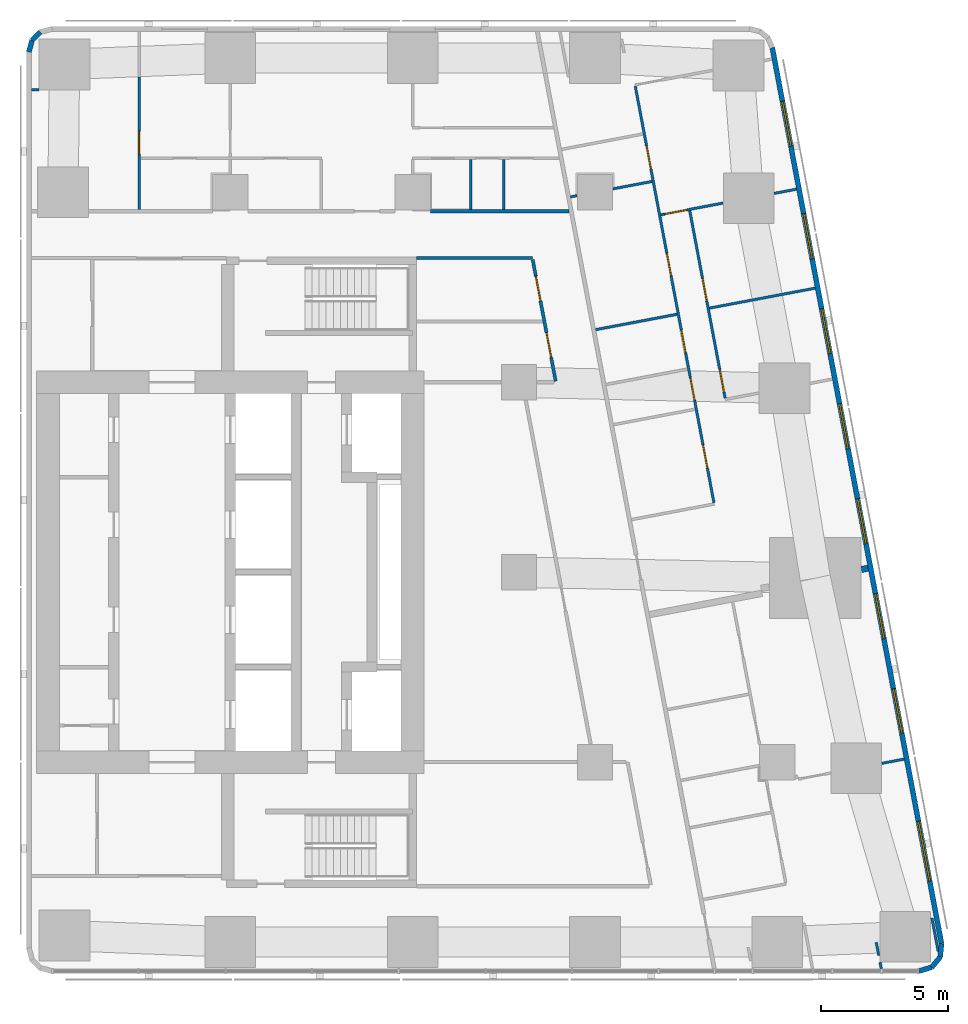
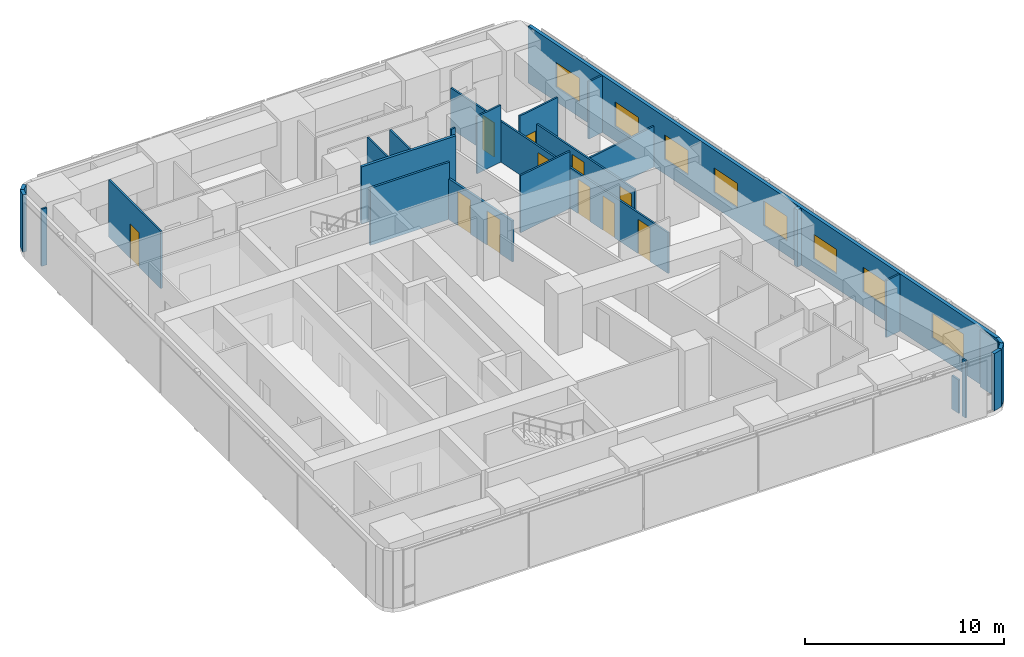
# One storey, part 7 of 10: 26 walls, 11 doors, 8 windows, 19 openings.
"""IFC4 building model written with IfcOpenShell, lengths in metres."""

from ifc_helpers import new_model, si_unit, direction, frame, frame_2d, origin, place, context, subcontext, project, spatial, rectangle, extrude, material, layer, layer_set, type_object, element, fill, save


model = new_model("IFC4")

# Units and contexts
model_context = context("Model", 3, precision=1e-05, world=origin(), true_north=direction((0.0, 1.0)))
body_context = subcontext(model_context, "Body", "Model", "MODEL_VIEW")
ifc_project = project(units=[si_unit("LENGTHUNIT", "METRE"), si_unit("AREAUNIT", "SQUARE_METRE"), si_unit("VOLUMEUNIT", "CUBIC_METRE"), si_unit("PLANEANGLEUNIT", "RADIAN"), si_unit("MASSUNIT", "GRAM", prefix="KILO")], contexts=[model_context])

# Site, building, storey
site_placement = place(None, origin())
site = spatial("IfcSite", under=ifc_project, at=site_placement, CompositionType="ELEMENT")
building_placement = place(site_placement, origin())
building = spatial("IfcBuilding", under=site, at=building_placement, Name="Sheger Commons Tower", CompositionType="ELEMENT")
storey_placement = place(building_placement, frame((0.0, 0.0, 289.10009765625)))
storey = spatial("IfcBuildingStorey", under=building, at=storey_placement, Name="L74", CompositionType="ELEMENT", Elevation=289.10009765625)

# Walls
ifc_material_1 = material(Name="Hollow concrete block masonry, skimmed both sides", Category="masonry")
ifc_layer_1 = layer(ifc_material_1, 0.14990234375)
ifc_layer_set_1 = layer_set([ifc_layer_1], Name="CORRIDOR WALL 150")
wall_type_1 = type_object("IfcWallType", Name="CORRIDOR WALL 150", PredefinedType="SOLIDWALL", material=ifc_layer_set_1)
wall_1_placement = place(storey_placement, frame((29.5009765625, 36.75, 0.0), z_axis=(0.0, 0.0, 1.0), x_axis=(1.0, 0.0, 0.0)))
element("IfcWall", 1, at=wall_1_placement, inside=storey, type_object=wall_type_1, Name="Corridor wall L74", PredefinedType="SOLIDWALL", context=body_context, shape_type="SweptSolid", body=[
    extrude(rectangle(XDim=5.470947265625, YDim=0.14990234375, at=frame_2d((2.7353515625, 0.0))), origin(), (0.0, 0.0, 1.0), 3.5),
])
ifc_material_2 = material(Name="Dense concrete block masonry, plastered both sides (separating wall between flats)", Category="masonry")
ifc_layer_2 = layer(ifc_material_2, 0.25)
ifc_layer_set_2 = layer_set([ifc_layer_2], Name="DEMISING WALL 250")
wall_type_2 = type_object("IfcWallType", Name="DEMISING WALL 250", PredefinedType="SOLIDWALL", material=ifc_layer_set_2)
wall_2_placement = place(storey_placement, frame((46.781982421875, 22.656982421875, 0.0), z_axis=(0.0, 0.0, 1.0), x_axis=(-0.982104607121, -0.188336243648, 0.0)))
element("IfcWall", 2, at=wall_2_placement, inside=storey, type_object=wall_type_2, Name="Demising wall L74", PredefinedType="SOLIDWALL", context=body_context, shape_type="SweptSolid", body=[
    extrude(rectangle(XDim=0.265625, YDim=0.25, at=frame_2d((0.1328125, 0.0))), origin(), (0.0, 0.0, 1.0), 3.5),
])
ifc_material_3 = material(Name="Rendered concrete block masonry, dark grey", Category="masonry")
ifc_layer_3 = layer(ifc_material_3, 0.199951171875)
ifc_layer_set_3 = layer_set([ifc_layer_3], Name="FACADE WALL 200")
wall_type_3 = type_object("IfcWallType", Name="FACADE WALL 200", PredefinedType="SOLIDWALL", material=ifc_layer_set_3)
wall_3_placement = place(storey_placement, frame((48.787109375, 6.75, 0.0), z_axis=(0.0, 0.0, 1.0), x_axis=(0.957282247819, 0.289155145225, 0.0)))
element("IfcWall", 3, at=wall_3_placement, inside=storey, type_object=wall_type_3, Name="Facade wall L74", PredefinedType="SOLIDWALL", context=body_context, shape_type="SweptSolid", body=[
    extrude(rectangle(XDim=0.53271484375, YDim=0.199951171875, at=frame_2d((0.266357421875, 0.0))), origin(), (0.0, 0.0, 1.0), 3.5),
])
wall_4_placement = place(storey_placement, frame((49.297119140625, 6.904052734375, 0.0), z_axis=(0.0, 0.0, 1.0), x_axis=(0.639255849474, 0.768994121508, 0.0)))
element("IfcWall", 4, at=wall_4_placement, inside=storey, type_object=wall_type_3, Name="Facade wall L74", PredefinedType="SOLIDWALL", context=body_context, shape_type="SweptSolid", body=[
    extrude(rectangle(XDim=0.517578125, YDim=0.199951171875, at=frame_2d((0.2587890625, 0.0))), origin(), (0.0, 0.0, 1.0), 3.5),
])
wall_5_placement = place(storey_placement, frame((49.6279296875, 7.302001953125, 0.0), z_axis=(0.0, 0.0, 1.0), x_axis=(0.105352390132, 0.994434952068, 0.0)))
element("IfcWall", 5, at=wall_5_placement, inside=storey, type_object=wall_type_3, Name="Facade wall L74", PredefinedType="SOLIDWALL", context=body_context, shape_type="SweptSolid", body=[
    extrude(rectangle(XDim=0.532958984375, YDim=0.199951171875, at=frame_2d((0.2666015625, 0.0))), origin(), (0.0, 0.0, 1.0), 3.5),
])

# Wall, openings, windows
wall_6_placement = place(storey_placement, frame((49.68408203125, 7.83203125, 0.0), z_axis=(0.0, 0.0, 1.0), x_axis=(-0.185616669694, 0.982622232565, 0.0)))
wall_6 = element("IfcWall", 6, at=wall_6_placement, inside=storey, type_object=wall_type_3, Name="Facade wall L74", PredefinedType="SOLIDWALL", context=body_context, shape_type="SweptSolid", body=[
    extrude(rectangle(XDim=35.99951171875, YDim=0.199951171875, at=frame_2d((17.999755859375, 0.0))), origin(), (0.0, 0.0, 1.0), 3.5),
])
opening_1_placement = place(wall_6_placement, frame((2.51806640625, 0.0, 0.89990234375)))
opening_1 = element("IfcOpeningElement", 7, at=opening_1_placement, cuts=wall_6, Name="Opening W1", PredefinedType="OPENING", context=body_context, shape_type="SweptSolid", body=[
    extrude(rectangle(XDim=2.39990234375, YDim=1.5, at=frame_2d((1.199951171875, 0.75))), frame((0.0, 0.10986328125, 0.0), z_axis=(0.0, -1.0, 0.0), x_axis=(1.0, 0.0, 0.0)), (0.0, 0.0, 1.0), 0.219970703125),
])
opening_2_placement = place(wall_6_placement, frame((8.444091796875, 0.0, 0.89990234375)))
opening_2 = element("IfcOpeningElement", 8, at=opening_2_placement, cuts=wall_6, Name="Opening W2", PredefinedType="OPENING", context=body_context, shape_type="SweptSolid", body=[
    extrude(rectangle(XDim=1.800048828125, YDim=1.5, at=frame_2d((0.89990234375, 0.75))), frame((0.0, 0.10986328125, 0.0), z_axis=(0.0, -1.0, 0.0), x_axis=(1.0, 0.0, 0.0)), (0.0, 0.0, 1.0), 0.219970703125),
])
opening_3_placement = place(wall_6_placement, frame((12.260986328125, 0.0, 0.89990234375)))
opening_3 = element("IfcOpeningElement", 9, at=opening_3_placement, cuts=wall_6, Name="Opening W2", PredefinedType="OPENING", context=body_context, shape_type="SweptSolid", body=[
    extrude(rectangle(XDim=1.800048828125, YDim=1.5, at=frame_2d((0.89990234375, 0.75))), frame((0.0, 0.10986328125, 0.0), z_axis=(0.0, -1.0, 0.0), x_axis=(1.0, 0.0, 0.0)), (0.0, 0.0, 1.0), 0.219970703125),
])
opening_4_placement = place(wall_6_placement, frame((16.077880859375, 0.0, 0.89990234375)))
opening_4 = element("IfcOpeningElement", 10, at=opening_4_placement, cuts=wall_6, Name="Opening W2", PredefinedType="OPENING", context=body_context, shape_type="SweptSolid", body=[
    extrude(rectangle(XDim=1.800048828125, YDim=1.5, at=frame_2d((0.89990234375, 0.75))), frame((0.0, 0.10986328125, 0.0), z_axis=(0.0, -1.0, 0.0), x_axis=(1.0, 0.0, 0.0)), (0.0, 0.0, 1.0), 0.219970703125),
])
opening_5_placement = place(wall_6_placement, frame((19.89404296875, 0.0, 0.89990234375)))
opening_5 = element("IfcOpeningElement", 11, at=opening_5_placement, cuts=wall_6, Name="Opening W2", PredefinedType="OPENING", context=body_context, shape_type="SweptSolid", body=[
    extrude(rectangle(XDim=1.800048828125, YDim=1.5, at=frame_2d((0.89990234375, 0.75))), frame((0.0, 0.10986328125, 0.0), z_axis=(0.0, -1.0, 0.0), x_axis=(1.0, 0.0, 0.0)), (0.0, 0.0, 1.0), 0.219970703125),
])
opening_6_placement = place(wall_6_placement, frame((23.7099609375, 0.0, 0.89990234375)))
opening_6 = element("IfcOpeningElement", 12, at=opening_6_placement, cuts=wall_6, Name="Opening W2", PredefinedType="OPENING", context=body_context, shape_type="SweptSolid", body=[
    extrude(rectangle(XDim=1.800048828125, YDim=1.5, at=frame_2d((0.89990234375, 0.75))), frame((0.0, 0.10986328125, 0.0), z_axis=(0.0, -1.0, 0.0), x_axis=(1.0, 0.0, 0.0)), (0.0, 0.0, 1.0), 0.219970703125),
])
opening_7_placement = place(wall_6_placement, frame((27.52587890625, 0.0, 0.89990234375)))
opening_7 = element("IfcOpeningElement", 13, at=opening_7_placement, cuts=wall_6, Name="Opening W2", PredefinedType="OPENING", context=body_context, shape_type="SweptSolid", body=[
    extrude(rectangle(XDim=1.800048828125, YDim=1.5, at=frame_2d((0.89990234375, 0.75))), frame((0.0, 0.10986328125, 0.0), z_axis=(0.0, -1.0, 0.0), x_axis=(1.0, 0.0, 0.0)), (0.0, 0.0, 1.0), 0.219970703125),
])
opening_8_placement = place(wall_6_placement, frame((32.0458984375, 0.0, 0.89990234375)))
opening_8 = element("IfcOpeningElement", 14, at=opening_8_placement, cuts=wall_6, Name="Opening W2", PredefinedType="OPENING", context=body_context, shape_type="SweptSolid", body=[
    extrude(rectangle(XDim=1.800048828125, YDim=1.5, at=frame_2d((0.89990234375, 0.75))), frame((0.0, 0.10986328125, 0.0), z_axis=(0.0, -1.0, 0.0), x_axis=(1.0, 0.0, 0.0)), (0.0, 0.0, 1.0), 0.219970703125),
])
ifc_material_4 = material(Name="Black aluminium frame, dark tinted double glazing", Category="aluminium")
window_type_1 = type_object("IfcWindowType", Name="WINDOW W1 2400x1500", PartitioningType="SINGLE_PANEL", PredefinedType="WINDOW", material=ifc_material_4)
window_1_placement = place(opening_1_placement, origin())
window_1 = element("IfcWindow", 15, at=window_1_placement, inside=storey, type_object=window_type_1, Name="Window W1 2400X1500", OverallHeight=1.5, OverallWidth=2.39990234375, PartitioningType="SINGLE_PANEL", PredefinedType="WINDOW", context=body_context, shape_type="SweptSolid", body=[
    extrude(rectangle(XDim=2.39990234375, YDim=1.5, at=frame_2d((1.199951171875, 0.75))), frame((0.0, 0.030029296875, 0.0), z_axis=(0.0, -1.0, 0.0), x_axis=(1.0, 0.0, 0.0)), (0.0, 0.0, 1.0), 0.06005859375),
])
fill(opening_1, window_1)
ifc_material_5 = material(Name="Black aluminium frame, dark tinted double glazing", Category="aluminium")
window_type_2 = type_object("IfcWindowType", Name="WINDOW W2 1800x1500", PartitioningType="SINGLE_PANEL", PredefinedType="WINDOW", material=ifc_material_5)
window_2_placement = place(opening_2_placement, origin())
window_2 = element("IfcWindow", 16, at=window_2_placement, inside=storey, type_object=window_type_2, Name="Window W2 1800X1500", OverallHeight=1.5, OverallWidth=1.800048828125, PartitioningType="SINGLE_PANEL", PredefinedType="WINDOW", context=body_context, shape_type="SweptSolid", body=[
    extrude(rectangle(XDim=1.800048828125, YDim=1.5, at=frame_2d((0.89990234375, 0.75))), frame((0.0, 0.030029296875, 0.0), z_axis=(0.0, -1.0, 0.0), x_axis=(1.0, 0.0, 0.0)), (0.0, 0.0, 1.0), 0.06005859375),
])
fill(opening_2, window_2)
window_3_placement = place(opening_3_placement, origin())
window_3 = element("IfcWindow", 17, at=window_3_placement, inside=storey, type_object=window_type_2, Name="Window W2 1800X1500", OverallHeight=1.5, OverallWidth=1.800048828125, PartitioningType="SINGLE_PANEL", PredefinedType="WINDOW", context=body_context, shape_type="SweptSolid", body=[
    extrude(rectangle(XDim=1.800048828125, YDim=1.5, at=frame_2d((0.89990234375, 0.75))), frame((0.0, 0.030029296875, 0.0), z_axis=(0.0, -1.0, 0.0), x_axis=(1.0, 0.0, 0.0)), (0.0, 0.0, 1.0), 0.06005859375),
])
fill(opening_3, window_3)
window_4_placement = place(opening_4_placement, origin())
window_4 = element("IfcWindow", 18, at=window_4_placement, inside=storey, type_object=window_type_2, Name="Window W2 1800X1500", OverallHeight=1.5, OverallWidth=1.800048828125, PartitioningType="SINGLE_PANEL", PredefinedType="WINDOW", context=body_context, shape_type="SweptSolid", body=[
    extrude(rectangle(XDim=1.800048828125, YDim=1.5, at=frame_2d((0.89990234375, 0.75))), frame((0.0, 0.030029296875, 0.0), z_axis=(0.0, -1.0, 0.0), x_axis=(1.0, 0.0, 0.0)), (0.0, 0.0, 1.0), 0.06005859375),
])
fill(opening_4, window_4)
window_5_placement = place(opening_5_placement, origin())
window_5 = element("IfcWindow", 19, at=window_5_placement, inside=storey, type_object=window_type_2, Name="Window W2 1800X1500", OverallHeight=1.5, OverallWidth=1.800048828125, PartitioningType="SINGLE_PANEL", PredefinedType="WINDOW", context=body_context, shape_type="SweptSolid", body=[
    extrude(rectangle(XDim=1.800048828125, YDim=1.5, at=frame_2d((0.89990234375, 0.75))), frame((0.0, 0.030029296875, 0.0), z_axis=(0.0, -1.0, 0.0), x_axis=(1.0, 0.0, 0.0)), (0.0, 0.0, 1.0), 0.06005859375),
])
fill(opening_5, window_5)
window_6_placement = place(opening_6_placement, origin())
window_6 = element("IfcWindow", 20, at=window_6_placement, inside=storey, type_object=window_type_2, Name="Window W2 1800X1500", OverallHeight=1.5, OverallWidth=1.800048828125, PartitioningType="SINGLE_PANEL", PredefinedType="WINDOW", context=body_context, shape_type="SweptSolid", body=[
    extrude(rectangle(XDim=1.800048828125, YDim=1.5, at=frame_2d((0.89990234375, 0.75))), frame((0.0, 0.030029296875, 0.0), z_axis=(0.0, -1.0, 0.0), x_axis=(1.0, 0.0, 0.0)), (0.0, 0.0, 1.0), 0.06005859375),
])
fill(opening_6, window_6)
window_7_placement = place(opening_7_placement, origin())
window_7 = element("IfcWindow", 21, at=window_7_placement, inside=storey, type_object=window_type_2, Name="Window W2 1800X1500", OverallHeight=1.5, OverallWidth=1.800048828125, PartitioningType="SINGLE_PANEL", PredefinedType="WINDOW", context=body_context, shape_type="SweptSolid", body=[
    extrude(rectangle(XDim=1.800048828125, YDim=1.5, at=frame_2d((0.89990234375, 0.75))), frame((0.0, 0.030029296875, 0.0), z_axis=(0.0, -1.0, 0.0), x_axis=(1.0, 0.0, 0.0)), (0.0, 0.0, 1.0), 0.06005859375),
])
fill(opening_7, window_7)
window_8_placement = place(opening_8_placement, origin())
window_8 = element("IfcWindow", 22, at=window_8_placement, inside=storey, type_object=window_type_2, Name="Window W2 1800X1500", OverallHeight=1.5, OverallWidth=1.800048828125, PartitioningType="SINGLE_PANEL", PredefinedType="WINDOW", context=body_context, shape_type="SweptSolid", body=[
    extrude(rectangle(XDim=1.800048828125, YDim=1.5, at=frame_2d((0.89990234375, 0.75))), frame((0.0, 0.030029296875, 0.0), z_axis=(0.0, -1.0, 0.0), x_axis=(1.0, 0.0, 0.0)), (0.0, 0.0, 1.0), 0.06005859375),
])
fill(opening_8, window_8)

# Walls
wall_7_placement = place(storey_placement, frame((14.10205078125, 43.825927734375, 0.0), z_axis=(0.0, 0.0, 1.0), x_axis=(-0.707369890659, -0.706843573776, 0.0)))
element("IfcWall", 23, at=wall_7_placement, inside=storey, type_object=wall_type_3, Name="Facade wall L74", PredefinedType="SOLIDWALL", context=body_context, shape_type="SweptSolid", body=[
    extrude(rectangle(XDim=0.4638671875, YDim=0.199951171875, at=frame_2d((0.23193359375, 0.0))), origin(), (0.0, 0.0, 1.0), 3.5),
])
wall_8_placement = place(storey_placement, frame((13.77392578125, 43.498046875, 0.0), z_axis=(0.0, 0.0, 1.0), x_axis=(-0.259826731483, -0.965655254015, 0.0)))
element("IfcWall", 24, at=wall_8_placement, inside=storey, type_object=wall_type_3, Name="Facade wall L74", PredefinedType="SOLIDWALL", context=body_context, shape_type="SweptSolid", body=[
    extrude(rectangle(XDim=0.477294921875, YDim=0.199951171875, at=frame_2d((0.23876953125, 0.0))), origin(), (0.0, 0.0, 1.0), 3.5),
])
ifc_material_6 = material(Name="Gypsum board on steel studs", Category="steel")
ifc_layer_4 = layer(ifc_material_6, 0.10009765625)
ifc_layer_set_4 = layer_set([ifc_layer_4], Name="PARTITION 100")
wall_type_4 = type_object("IfcWallType", Name="PARTITION 100", PredefinedType="PARTITIONING", material=ifc_layer_set_4)
wall_9_placement = place(storey_placement, frame((49.300048828125, 8.85107421875, 0.0), z_axis=(0.0, 0.0, 1.0), x_axis=(0.18581620423, -0.982584519645, 0.0)))
element("IfcWall", 25, at=wall_9_placement, inside=storey, type_object=wall_type_4, Name="Partition L74", PredefinedType="PARTITIONING", context=body_context, shape_type="SweptSolid", body=[
    extrude(rectangle(XDim=1.3505859375, YDim=0.10009765625, at=frame_2d((0.67529296875, 0.0))), origin(), (0.0, 0.0, 1.0), 3.5),
])
wall_10_placement = place(storey_placement, frame((47.301025390625, 6.85009765625, 0.0), z_axis=(0.0, 0.0, 1.0), x_axis=(-0.187513903188, 0.982261948826, 0.0)))
element("IfcWall", 26, at=wall_10_placement, inside=storey, type_object=wall_type_4, Name="Partition L74", PredefinedType="PARTITIONING", context=body_context, shape_type="SweptSolid", body=[
    extrude(rectangle(XDim=0.251220703125, YDim=0.10009765625, at=frame_2d((0.12548828125, 0.0))), origin(), (0.0, 0.0, 1.0), 3.5),
])
wall_11_placement = place(storey_placement, frame((47.202880859375, 7.368896484375, 0.0), z_axis=(0.0, 0.0, 1.0), x_axis=(-0.186456243114, 0.982463266185, 0.0)))
element("IfcWall", 27, at=wall_11_placement, inside=storey, type_object=wall_type_4, Name="Partition L74", PredefinedType="PARTITIONING", context=body_context, shape_type="SweptSolid", body=[
    extrude(rectangle(XDim=0.5302734375, YDim=0.10009765625, at=frame_2d((0.26513671875, 0.0))), origin(), (0.0, 0.0, 1.0), 2.0498046875),
])
wall_12_placement = place(storey_placement, frame((43.955078125, 37.6201171875, 0.0), z_axis=(0.0, 0.0, 1.0), x_axis=(-0.982708424405, -0.18515980288, 0.0)))
element("IfcWall", 28, at=wall_12_placement, inside=storey, type_object=wall_type_4, Name="Partition L74", PredefinedType="PARTITIONING", context=body_context, shape_type="SweptSolid", body=[
    extrude(rectangle(XDim=0.896728515625, YDim=0.10009765625, at=frame_2d((0.4482421875, 0.0))), origin(), (0.0, 0.0, 1.0), 3.5),
])

# Wall, opening, door
wall_13_placement = place(storey_placement, frame((41.053955078125, 37.072021484375, 0.0), z_axis=(0.0, 0.0, 1.0), x_axis=(-0.982579896219, -0.185840650951, 0.0)))
wall_13 = element("IfcWall", 29, at=wall_13_placement, inside=storey, type_object=wall_type_4, Name="Partition L74", PredefinedType="PARTITIONING", context=body_context, shape_type="SweptSolid", body=[
    extrude(rectangle(XDim=2.497314453125, YDim=0.10009765625, at=frame_2d((1.24853515625, 0.0))), origin(), (0.0, 0.0, 1.0), 3.5),
])
opening_9_placement = place(wall_13_placement, frame((1.447021484375, 0.0, 0.0)))
opening_9 = element("IfcOpeningElement", 30, at=opening_9_placement, cuts=wall_13, Name="Opening D2", PredefinedType="OPENING", context=body_context, shape_type="SweptSolid", body=[
    extrude(rectangle(XDim=0.89990234375, YDim=2.10009765625, at=frame_2d((0.449951171875, 1.050048828125))), frame((0.0, 0.06005859375, 0.0), z_axis=(0.0, -1.0, 0.0), x_axis=(1.0, 0.0, 0.0)), (0.0, 0.0, 1.0), 0.1201171875),
])
ifc_material_7 = material(Name="Timber door set", Category="wood")
door_type_1 = type_object("IfcDoorType", Name="INTERNAL DOOR 900x2100", OperationType="NOTDEFINED", PredefinedType="DOOR", material=ifc_material_7)
door_1_placement = place(opening_9_placement, origin())
door_1 = element("IfcDoor", 31, at=door_1_placement, inside=storey, type_object=door_type_1, Name="Main bedroom door", OperationType="SINGLE_SWING_LEFT", OverallHeight=2.10009765625, OverallWidth=0.89990234375, PredefinedType="DOOR", context=body_context, shape_type="SweptSolid", body=[
    extrude(rectangle(XDim=0.89990234375, YDim=2.10009765625, at=frame_2d((0.449951171875, 1.050048828125))), frame((0.0, 0.02490234375, 0.0), z_axis=(0.0, -1.0, 0.0), x_axis=(1.0, 0.0, 0.0)), (0.0, 0.0, 1.0), 0.050048828125),
])
fill(opening_9, door_1)

# Walls
wall_14_placement = place(storey_placement, frame((44.693115234375, 33.712890625, 0.0), z_axis=(0.0, 0.0, 1.0), x_axis=(-0.982623519589, -0.185609856287, 0.0)))
element("IfcWall", 32, at=wall_14_placement, inside=storey, type_object=wall_type_4, Name="Partition L74", PredefinedType="PARTITIONING", context=body_context, shape_type="SweptSolid", body=[
    extrude(rectangle(XDim=4.249755859375, YDim=0.10009765625, at=frame_2d((2.125, 0.0))), origin(), (0.0, 0.0, 1.0), 2.5),
])
wall_15_placement = place(storey_placement, frame((38.25, 37.925048828125, 0.0), z_axis=(0.0, 0.0, 1.0), x_axis=(-0.982610209589, -0.185680305934, 0.0)))
element("IfcWall", 33, at=wall_15_placement, inside=storey, type_object=wall_type_4, Name="Partition L74", PredefinedType="PARTITIONING", context=body_context, shape_type="SweptSolid", body=[
    extrude(rectangle(XDim=1.5673828125, YDim=0.10009765625, at=frame_2d((0.78369140625, 0.0))), origin(), (0.0, 0.0, 1.0), 3.5),
])
wall_16_placement = place(storey_placement, frame((35.2900390625, 37.365966796875, 0.0), z_axis=(0.0, 0.0, 1.0), x_axis=(-0.982395465615, -0.18681313963, 0.0)))
element("IfcWall", 34, at=wall_16_placement, inside=storey, type_object=wall_type_4, Name="Partition L74", PredefinedType="PARTITIONING", context=body_context, shape_type="SweptSolid", body=[
    extrude(rectangle(XDim=0.2626953125, YDim=0.10009765625, at=frame_2d((0.13134765625, 0.0))), origin(), (0.0, 0.0, 1.0), 3.5),
])
wall_17_placement = place(storey_placement, frame((39.239990234375, 32.68310546875, 0.0), z_axis=(0.0, 0.0, 1.0), x_axis=(-0.982607026909, -0.185697147715, 0.0)))
element("IfcWall", 35, at=wall_17_placement, inside=storey, type_object=wall_type_4, Name="Partition L74", PredefinedType="PARTITIONING", context=body_context, shape_type="SweptSolid", body=[
    extrude(rectangle(XDim=3.27490234375, YDim=0.10009765625, at=frame_2d((1.637451171875, 0.0))), origin(), (0.0, 0.0, 1.0), 3.5),
])

# Wall, openings, doors
wall_18_placement = place(storey_placement, frame((37.591064453125, 41.68505859375, 0.0), z_axis=(0.0, 0.0, 1.0), x_axis=(0.185541820726, -0.982636368532, 0.0)))
wall_18 = element("IfcWall", 36, at=wall_18_placement, inside=storey, type_object=wall_type_4, Name="Partition L74", PredefinedType="PARTITIONING", context=body_context, shape_type="SweptSolid", body=[
    extrude(rectangle(XDim=16.734619140625, YDim=0.10009765625, at=frame_2d((8.3671875, 0.0))), origin(), (0.0, 0.0, 1.0), 2.5),
])
opening_10_placement = place(wall_18_placement, frame((2.4130859375, 0.0, 0.0)))
opening_10 = element("IfcOpeningElement", 37, at=opening_10_placement, cuts=wall_18, Name="Opening D2", PredefinedType="OPENING", context=body_context, shape_type="SweptSolid", body=[
    extrude(rectangle(XDim=0.89990234375, YDim=2.10009765625, at=frame_2d((0.449951171875, 1.050048828125))), frame((0.0, 0.06005859375, 0.0), z_axis=(0.0, -1.0, 0.0), x_axis=(1.0, 0.0, 0.0)), (0.0, 0.0, 1.0), 0.1201171875),
])
opening_11_placement = place(wall_18_placement, frame((6.712890625, 0.0, 0.0)))
opening_11 = element("IfcOpeningElement", 38, at=opening_11_placement, cuts=wall_18, Name="Opening D2", PredefinedType="OPENING", context=body_context, shape_type="SweptSolid", body=[
    extrude(rectangle(XDim=0.89990234375, YDim=2.10009765625, at=frame_2d((0.449951171875, 1.050048828125))), frame((0.0, 0.06005859375, 0.0), z_axis=(0.0, -1.0, 0.0), x_axis=(1.0, 0.0, 0.0)), (0.0, 0.0, 1.0), 0.1201171875),
])
opening_12_placement = place(wall_18_placement, frame((9.804931640625, 0.0, 0.0)))
opening_12 = element("IfcOpeningElement", 39, at=opening_12_placement, cuts=wall_18, Name="Opening D2", PredefinedType="OPENING", context=body_context, shape_type="SweptSolid", body=[
    extrude(rectangle(XDim=0.89990234375, YDim=2.10009765625, at=frame_2d((0.449951171875, 1.050048828125))), frame((0.0, 0.06005859375, 0.0), z_axis=(0.0, -1.0, 0.0), x_axis=(1.0, 0.0, 0.0)), (0.0, 0.0, 1.0), 0.1201171875),
])
opening_13_placement = place(wall_18_placement, frame((11.712890625, 0.0, 0.0)))
opening_13 = element("IfcOpeningElement", 40, at=opening_13_placement, cuts=wall_18, Name="Opening D2", PredefinedType="OPENING", context=body_context, shape_type="SweptSolid", body=[
    extrude(rectangle(XDim=0.89990234375, YDim=2.10009765625, at=frame_2d((0.449951171875, 1.050048828125))), frame((0.0, 0.06005859375, 0.0), z_axis=(0.0, -1.0, 0.0), x_axis=(1.0, 0.0, 0.0)), (0.0, 0.0, 1.0), 0.1201171875),
])
opening_14_placement = place(wall_18_placement, frame((14.426025390625, 0.0, 0.0)))
opening_14 = element("IfcOpeningElement", 41, at=opening_14_placement, cuts=wall_18, Name="Opening D2", PredefinedType="OPENING", context=body_context, shape_type="SweptSolid", body=[
    extrude(rectangle(XDim=0.89990234375, YDim=2.10009765625, at=frame_2d((0.449951171875, 1.050048828125))), frame((0.0, 0.06005859375, 0.0), z_axis=(0.0, -1.0, 0.0), x_axis=(1.0, 0.0, 0.0)), (0.0, 0.0, 1.0), 0.1201171875),
])
door_2_placement = place(opening_10_placement, origin())
door_2 = element("IfcDoor", 42, at=door_2_placement, inside=storey, type_object=door_type_1, Name="En-suite door", OperationType="SINGLE_SWING_LEFT", OverallHeight=2.10009765625, OverallWidth=0.89990234375, PredefinedType="DOOR", context=body_context, shape_type="SweptSolid", body=[
    extrude(rectangle(XDim=0.89990234375, YDim=2.10009765625, at=frame_2d((0.449951171875, 1.050048828125))), frame((0.0, 0.02490234375, 0.0), z_axis=(0.0, -1.0, 0.0), x_axis=(1.0, 0.0, 0.0)), (0.0, 0.0, 1.0), 0.050048828125),
])
fill(opening_10, door_2)
door_3_placement = place(opening_11_placement, origin())
door_3 = element("IfcDoor", 43, at=door_3_placement, inside=storey, type_object=door_type_1, Name="Study door", OperationType="SINGLE_SWING_LEFT", OverallHeight=2.10009765625, OverallWidth=0.89990234375, PredefinedType="DOOR", context=body_context, shape_type="SweptSolid", body=[
    extrude(rectangle(XDim=0.89990234375, YDim=2.10009765625, at=frame_2d((0.449951171875, 1.050048828125))), frame((0.0, 0.02490234375, 0.0), z_axis=(0.0, -1.0, 0.0), x_axis=(1.0, 0.0, 0.0)), (0.0, 0.0, 1.0), 0.050048828125),
])
fill(opening_11, door_3)
door_4_placement = place(opening_12_placement, origin())
door_4 = element("IfcDoor", 44, at=door_4_placement, inside=storey, type_object=door_type_1, Name="Bathroom door", OperationType="SINGLE_SWING_LEFT", OverallHeight=2.10009765625, OverallWidth=0.89990234375, PredefinedType="DOOR", context=body_context, shape_type="SweptSolid", body=[
    extrude(rectangle(XDim=0.89990234375, YDim=2.10009765625, at=frame_2d((0.449951171875, 1.050048828125))), frame((0.0, 0.02490234375, 0.0), z_axis=(0.0, -1.0, 0.0), x_axis=(1.0, 0.0, 0.0)), (0.0, 0.0, 1.0), 0.050048828125),
])
fill(opening_12, door_4)
door_5_placement = place(opening_13_placement, origin())
door_5 = element("IfcDoor", 45, at=door_5_placement, inside=storey, type_object=door_type_1, Name="Store door", OperationType="SINGLE_SWING_RIGHT", OverallHeight=2.10009765625, OverallWidth=0.89990234375, PredefinedType="DOOR", context=body_context, shape_type="SweptSolid", body=[
    extrude(rectangle(XDim=0.89990234375, YDim=2.10009765625, at=frame_2d((0.449951171875, 1.050048828125))), frame((0.0, 0.02490234375, 0.0), z_axis=(0.0, -1.0, 0.0), x_axis=(1.0, 0.0, 0.0)), (0.0, 0.0, 1.0), 0.050048828125),
])
fill(opening_13, door_5)
door_6_placement = place(opening_14_placement, origin())
door_6 = element("IfcDoor", 46, at=door_6_placement, inside=storey, type_object=door_type_1, Name="Kitchen door", OperationType="SINGLE_SWING_LEFT", OverallHeight=2.10009765625, OverallWidth=0.89990234375, PredefinedType="DOOR", context=body_context, shape_type="SweptSolid", body=[
    extrude(rectangle(XDim=0.89990234375, YDim=2.10009765625, at=frame_2d((0.449951171875, 1.050048828125))), frame((0.0, 0.02490234375, 0.0), z_axis=(0.0, -1.0, 0.0), x_axis=(1.0, 0.0, 0.0)), (0.0, 0.0, 1.0), 0.050048828125),
])
fill(opening_14, door_6)

wall_19_placement = place(storey_placement, frame((39.739990234375, 36.77294921875, 0.0), z_axis=(0.0, 0.0, 1.0), x_axis=(0.185583825641, -0.982628436216, 0.0)))
wall_19 = element("IfcWall", 47, at=wall_19_placement, inside=storey, type_object=wall_type_4, Name="Partition L74", PredefinedType="PARTITIONING", context=body_context, shape_type="SweptSolid", body=[
    extrude(rectangle(XDim=7.53271484375, YDim=0.10009765625, at=frame_2d((3.766357421875, 0.0))), origin(), (0.0, 0.0, 1.0), 2.5),
])
opening_15_placement = place(wall_19_placement, frame((2.72607421875, 0.0, 0.0)))
opening_15 = element("IfcOpeningElement", 48, at=opening_15_placement, cuts=wall_19, Name="Opening D2", PredefinedType="OPENING", context=body_context, shape_type="SweptSolid", body=[
    extrude(rectangle(XDim=0.89990234375, YDim=2.10009765625, at=frame_2d((0.449951171875, 1.050048828125))), frame((0.0, 0.06005859375, 0.0), z_axis=(0.0, -1.0, 0.0), x_axis=(1.0, 0.0, 0.0)), (0.0, 0.0, 1.0), 0.1201171875),
])
opening_16_placement = place(wall_19_placement, frame((6.383056640625, 0.0, 0.0)))
opening_16 = element("IfcOpeningElement", 49, at=opening_16_placement, cuts=wall_19, Name="Opening D2", PredefinedType="OPENING", context=body_context, shape_type="SweptSolid", body=[
    extrude(rectangle(XDim=0.89990234375, YDim=2.10009765625, at=frame_2d((0.449951171875, 1.050048828125))), frame((0.0, 0.06005859375, 0.0), z_axis=(0.0, -1.0, 0.0), x_axis=(1.0, 0.0, 0.0)), (0.0, 0.0, 1.0), 0.1201171875),
])
door_7_placement = place(opening_15_placement, origin())
door_7 = element("IfcDoor", 50, at=door_7_placement, inside=storey, type_object=door_type_1, Name="Bedroom 2 door", OperationType="SINGLE_SWING_RIGHT", OverallHeight=2.10009765625, OverallWidth=0.89990234375, PredefinedType="DOOR", context=body_context, shape_type="SweptSolid", body=[
    extrude(rectangle(XDim=0.89990234375, YDim=2.10009765625, at=frame_2d((0.449951171875, 1.050048828125))), frame((0.0, 0.02490234375, 0.0), z_axis=(0.0, -1.0, 0.0), x_axis=(1.0, 0.0, 0.0)), (0.0, 0.0, 1.0), 0.050048828125),
])
fill(opening_15, door_7)
door_8_placement = place(opening_16_placement, origin())
door_8 = element("IfcDoor", 51, at=door_8_placement, inside=storey, type_object=door_type_1, Name="Bedroom 3 door", OperationType="SINGLE_SWING_RIGHT", OverallHeight=2.10009765625, OverallWidth=0.89990234375, PredefinedType="DOOR", context=body_context, shape_type="SweptSolid", body=[
    extrude(rectangle(XDim=0.89990234375, YDim=2.10009765625, at=frame_2d((0.449951171875, 1.050048828125))), frame((0.0, 0.02490234375, 0.0), z_axis=(0.0, -1.0, 0.0), x_axis=(1.0, 0.0, 0.0)), (0.0, 0.0, 1.0), 0.050048828125),
])
fill(opening_16, door_8)

# Walls
wall_20_placement = place(storey_placement, frame((48.2060546875, 15.1201171875, 0.0), z_axis=(0.0, 0.0, 1.0), x_axis=(-0.982497680814, -0.186274816318, 0.0)))
element("IfcWall", 52, at=wall_20_placement, inside=storey, type_object=wall_type_4, Name="Partition L74", PredefinedType="PARTITIONING", context=body_context, shape_type="SweptSolid", body=[
    extrude(rectangle(XDim=0.897705078125, YDim=0.10009765625, at=frame_2d((0.44873046875, 0.0))), origin(), (0.0, 0.0, 1.0), 3.5),
])
wall_21_placement = place(storey_placement, frame((14.053955078125, 41.5458984375, 0.0), z_axis=(0.0, 0.0, 1.0), x_axis=(-1.0, 0.0, 0.0)))
element("IfcWall", 53, at=wall_21_placement, inside=storey, type_object=wall_type_4, Name="Partition L74", PredefinedType="PARTITIONING", context=body_context, shape_type="SweptSolid", body=[
    extrude(rectangle(XDim=0.303955078125, YDim=0.10009765625, at=frame_2d((0.15185546875, 0.0))), origin(), (0.0, 0.0, 1.0), 3.5),
])

# Wall, opening, door
wall_22_placement = place(storey_placement, frame((18.0, 36.824951171875, 0.0), z_axis=(0.0, 0.0, 1.0), x_axis=(0.0, 1.0, 0.0)))
wall_22 = element("IfcWall", 54, at=wall_22_placement, inside=storey, type_object=wall_type_4, Name="Partition L74", PredefinedType="PARTITIONING", context=body_context, shape_type="SweptSolid", body=[
    extrude(rectangle(XDim=5.233154296875, YDim=0.10009765625, at=frame_2d((2.61669921875, 0.0))), origin(), (0.0, 0.0, 1.0), 3.5),
])
opening_17_placement = place(wall_22_placement, frame((2.175048828125, 0.0, 0.0)))
opening_17 = element("IfcOpeningElement", 55, at=opening_17_placement, cuts=wall_22, Name="Opening D2", PredefinedType="OPENING", context=body_context, shape_type="SweptSolid", body=[
    extrude(rectangle(XDim=0.89990234375, YDim=2.10009765625, at=frame_2d((0.449951171875, 1.050048828125))), frame((0.0, 0.06005859375, 0.0), z_axis=(0.0, -1.0, 0.0), x_axis=(1.0, 0.0, 0.0)), (0.0, 0.0, 1.0), 0.1201171875),
])
door_9_placement = place(opening_17_placement, origin())
door_9 = element("IfcDoor", 56, at=door_9_placement, inside=storey, type_object=door_type_1, Name="Dressing room door", OperationType="SINGLE_SWING_RIGHT", OverallHeight=2.10009765625, OverallWidth=0.89990234375, PredefinedType="DOOR", context=body_context, shape_type="SweptSolid", body=[
    extrude(rectangle(XDim=0.89990234375, YDim=2.10009765625, at=frame_2d((0.449951171875, 1.050048828125))), frame((0.0, 0.02490234375, 0.0), z_axis=(0.0, -1.0, 0.0), x_axis=(1.0, 0.0, 0.0)), (0.0, 0.0, 1.0), 0.050048828125),
])
fill(opening_17, door_9)

# Walls
for number, where, z_axis, x_axis, name in (
    (57, (32.39990234375, 36.824951171875, 0.0), (0.0, 0.0, 1.0), (0.0, 1.0, 0.0), "Partition L74"),
    (58, (31.10009765625, 36.824951171875, 0.0), (0.0, 0.0, 1.0), (0.0, 1.0, 0.0), "Partition L74"),
):
    element("IfcWall", number, at=place(storey_placement, frame(where, z_axis=z_axis, x_axis=x_axis)), inside=storey, type_object=wall_type_4, Name=name, PredefinedType="PARTITIONING", context=body_context, shape_type="SweptSolid", body=[
        extrude(rectangle(XDim=1.97509765625, YDim=0.10009765625, at=frame_2d((0.987548828125, 0.0))), origin(), (0.0, 0.0, 1.0), 3.5),
    ])
ifc_material_8 = material(Name="Gypsum board on steel studs, two layers each side, fire rated", Category="steel")
ifc_layer_5 = layer(ifc_material_8, 0.125)
ifc_layer_set_5 = layer_set([ifc_layer_5], Name="SERVICE WALL 125")
wall_type_5 = type_object("IfcWallType", Name="SERVICE WALL 125", PredefinedType="PARTITIONING", material=ifc_layer_set_5)
wall_23_placement = place(storey_placement, frame((28.949951171875, 34.89990234375, 0.0), z_axis=(0.0, 0.0, 1.0), x_axis=(1.0, 0.0, 0.0)))
element("IfcWall", 59, at=wall_23_placement, inside=storey, type_object=wall_type_5, Name="Service room wall L74", PredefinedType="PARTITIONING", context=body_context, shape_type="SweptSolid", body=[
    extrude(rectangle(XDim=4.588134765625, YDim=0.125, at=frame_2d((2.2939453125, 0.0))), origin(), (0.0, 0.0, 1.0), 3.5),
])

# Wall, openings, doors
wall_24_placement = place(storey_placement, frame((34.447998046875, 30.0400390625, 0.0), z_axis=(0.0, 0.0, 1.0), x_axis=(-0.185749459238, 0.982597139418, 0.0)))
wall_24 = element("IfcWall", 60, at=wall_24_placement, inside=storey, type_object=wall_type_5, Name="Service room wall L74", PredefinedType="PARTITIONING", context=body_context, shape_type="SweptSolid", body=[
    extrude(rectangle(XDim=4.8828125, YDim=0.125, at=frame_2d((2.44140625, 0.0))), origin(), (0.0, 0.0, 1.0), 2.5),
])
opening_18_placement = place(wall_24_placement, frame((0.949951171875, 0.0, 0.0)))
opening_18 = element("IfcOpeningElement", 61, at=opening_18_placement, cuts=wall_24, Name="Opening D4", PredefinedType="OPENING", context=body_context, shape_type="SweptSolid", body=[
    extrude(rectangle(XDim=1.0, YDim=2.10009765625, at=frame_2d((0.5, 1.050048828125))), frame((0.0, 0.072509765625, 0.0), z_axis=(0.0, -1.0, 0.0), x_axis=(1.0, 0.0, 0.0)), (0.0, 0.0, 1.0), 0.14501953125),
])
opening_19_placement = place(wall_24_placement, frame((3.22509765625, 0.0, 0.0)))
opening_19 = element("IfcOpeningElement", 62, at=opening_19_placement, cuts=wall_24, Name="Opening D4", PredefinedType="OPENING", context=body_context, shape_type="SweptSolid", body=[
    extrude(rectangle(XDim=1.0, YDim=2.10009765625, at=frame_2d((0.5, 1.050048828125))), frame((0.0, 0.072509765625, 0.0), z_axis=(0.0, -1.0, 0.0), x_axis=(1.0, 0.0, 0.0)), (0.0, 0.0, 1.0), 0.14501953125),
])
ifc_material_9 = material(Name="Steel door set, fire rated", Category="steel")
door_type_2 = type_object("IfcDoorType", Name="SERVICE DOOR 1000x2100", OperationType="NOTDEFINED", PredefinedType="DOOR", material=ifc_material_9)
door_10_placement = place(opening_18_placement, origin())
door_10 = element("IfcDoor", 63, at=door_10_placement, inside=storey, type_object=door_type_2, Name="Linen store door", OperationType="SINGLE_SWING_RIGHT", OverallHeight=2.10009765625, OverallWidth=1.0, PredefinedType="DOOR", context=body_context, shape_type="SweptSolid", body=[
    extrude(rectangle(XDim=1.0, YDim=2.10009765625, at=frame_2d((0.5, 1.050048828125))), frame((0.0, 0.02490234375, 0.0), z_axis=(0.0, -1.0, 0.0), x_axis=(1.0, 0.0, 0.0)), (0.0, 0.0, 1.0), 0.050048828125),
])
fill(opening_18, door_10)
door_11_placement = place(opening_19_placement, origin())
door_11 = element("IfcDoor", 64, at=door_11_placement, inside=storey, type_object=door_type_2, Name="Cleaner's store door", OperationType="SINGLE_SWING_RIGHT", OverallHeight=2.10009765625, OverallWidth=1.0, PredefinedType="DOOR", context=body_context, shape_type="SweptSolid", body=[
    extrude(rectangle(XDim=1.0, YDim=2.10009765625, at=frame_2d((0.5, 1.050048828125))), frame((0.0, 0.02490234375, 0.0), z_axis=(0.0, -1.0, 0.0), x_axis=(1.0, 0.0, 0.0)), (0.0, 0.0, 1.0), 0.050048828125),
])
fill(opening_19, door_11)

save(model, "model.ifc")
